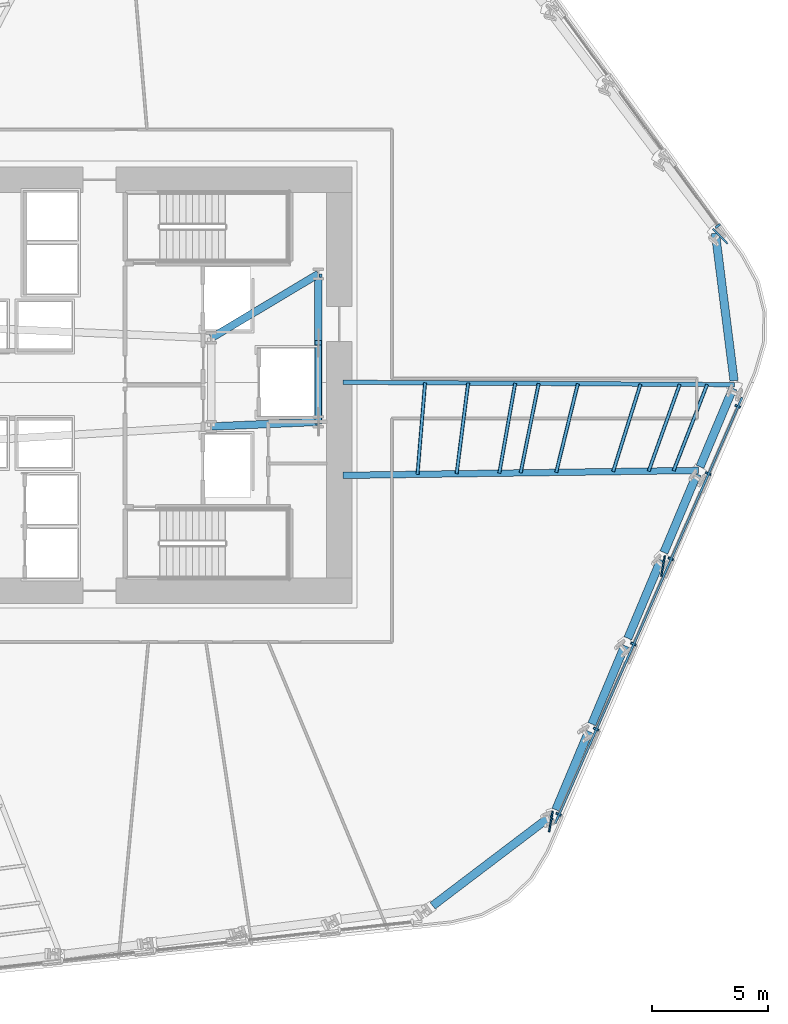
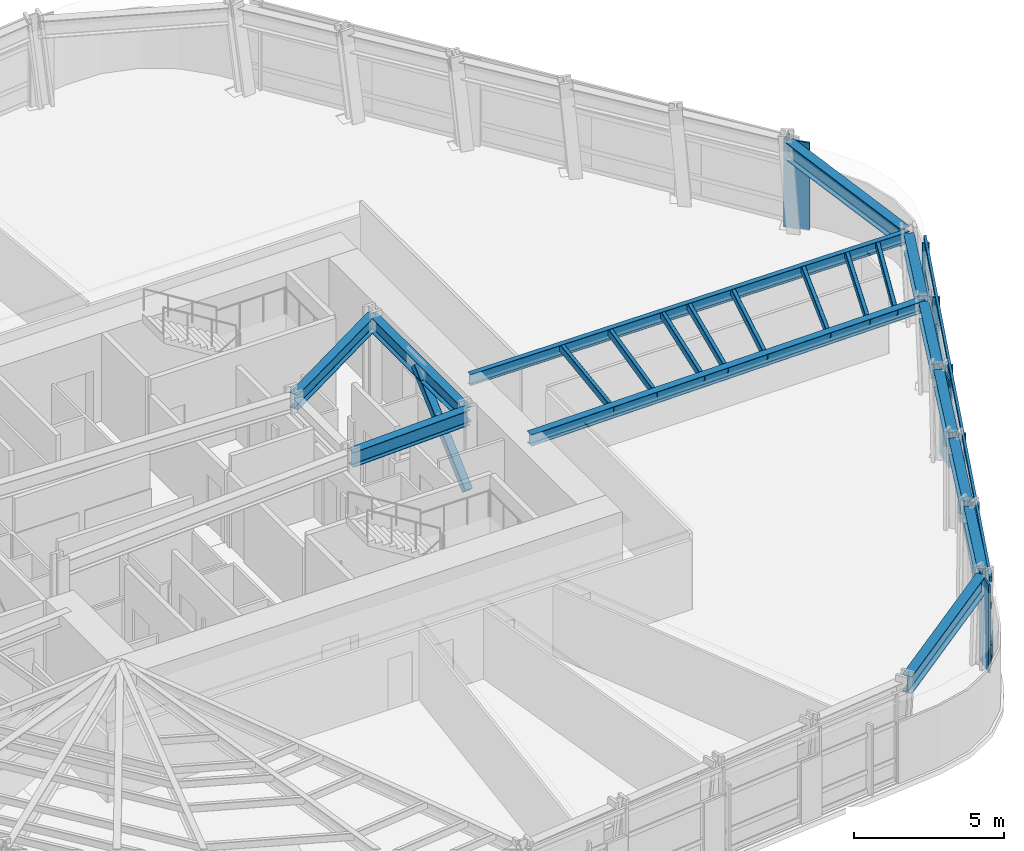
# One storey, part 4 of 16: 23 members, 12 beams, 2 elements without a shape of their own.
"""IFC4 building model written with IfcOpenShell, lengths in metres."""

from ifc_helpers import new_model, si_unit, direction, frame, origin, origin_2d, place, context, subcontext, project, spatial, rectangle, hollow_rectangle, i_section, extrude, material, layer, layer_set, material_profile, profile_set, type_object, element, aggregate, save


model = new_model("IFC4")

# Units and contexts
model_context = context("Model", 3, precision=1e-05, world=origin(), true_north=direction((0.0, 1.0)))
body_context = subcontext(model_context, "Body", "Model", "MODEL_VIEW")
ifc_project = project(units=[si_unit("LENGTHUNIT", "METRE"), si_unit("AREAUNIT", "SQUARE_METRE"), si_unit("VOLUMEUNIT", "CUBIC_METRE"), si_unit("PLANEANGLEUNIT", "RADIAN"), si_unit("MASSUNIT", "GRAM", prefix="KILO")], contexts=[model_context])

# Site, building, storey
site_placement = place(None, origin())
site = spatial("IfcSite", under=ifc_project, at=site_placement, CompositionType="ELEMENT")
building_placement = place(site_placement, origin())
building = spatial("IfcBuilding", under=site, at=building_placement, Name="Valkerne Bourse Tower", CompositionType="ELEMENT")
storey_placement = place(building_placement, frame((0.0, 0.0, 50.60009765625)))
storey = spatial("IfcBuildingStorey", under=building, at=storey_placement, Name="L12", CompositionType="ELEMENT", Elevation=50.60009765625)

# Beams
ifc_material_1 = material(Name="Steel ASTM A992", Category="steel")
ifc_material_profile_1 = material_profile(ifc_material_1, i_section(OverallWidth=0.1904296875, OverallDepth=0.457275390625, WebThickness=0.009033203125, FlangeThickness=0.014404296875, FilletRadius=0.01513671875, at=origin_2d()), Name="W18X50")
ifc_profile_set_1 = profile_set([ifc_material_profile_1], Name="Steel ASTM A992")
beam_type_1 = type_object("IfcBeamType", Name="BM-W18X50", PredefinedType="JOIST", material=ifc_profile_set_1)
beam_1_placement = place(storey_placement, frame((72.82568359375, 26.896484375, 3.351318359375), z_axis=(-0.999981075516, 0.006152122465, 0.0), x_axis=(-0.006152122465, -0.999981075516, 0.0)))
element("IfcBeam", 1, at=beam_1_placement, inside=storey, type_object=beam_type_1, Name="L12 Radial Composite Floor Beam 35", PredefinedType="JOIST", context=body_context, shape_type="SweptSolid", body=[
    extrude(i_section(OverallWidth=0.1904296875, OverallDepth=0.457275390625, WebThickness=0.009033203125, FlangeThickness=0.014404296875, FilletRadius=0.01513671875, at=origin_2d()), origin(), (0.0, 0.0, 1.0), 16.825927734375),
])
ifc_material_profile_2 = material_profile(ifc_material_1, i_section(OverallWidth=0.279296875, OverallDepth=0.46240234375, WebThickness=0.0107421875, FlangeThickness=0.017333984375, FilletRadius=0.017822265625, at=origin_2d()), Name="W18X76")
ifc_profile_set_2 = profile_set([ifc_material_profile_2], Name="Steel ASTM A992")
beam_type_2 = type_object("IfcBeamType", Name="BM-W18X76", PredefinedType="BEAM", material=ifc_profile_set_2)
beam_2_placement = place(storey_placement, frame((71.277099609375, 23.212890625, 3.348876953125), z_axis=(-0.999902918157, -0.013933924804, 0.0), x_axis=(0.013933924804, -0.999902918157, 0.0)))
element("IfcBeam", 2, at=beam_2_placement, inside=storey, type_object=beam_type_2, Name="L12 Radial Composite Floor Beam 34", PredefinedType="BEAM", context=body_context, shape_type="SweptSolid", body=[
    extrude(i_section(OverallWidth=0.279296875, OverallDepth=0.46240234375, WebThickness=0.0107421875, FlangeThickness=0.017333984375, FilletRadius=0.017822265625, at=origin_2d()), origin(), (0.0, 0.0, 1.0), 15.278564453125),
])
ifc_material_profile_3 = material_profile(ifc_material_1, i_section(OverallWidth=0.3251953125, OverallDepth=0.612060546875, WebThickness=0.0126953125, FlangeThickness=0.01904296875, FilletRadius=0.020263671875, at=origin_2d()), Name="W24X104")
ifc_profile_set_3 = profile_set([ifc_material_profile_3], Name="Steel ASTM A992")
beam_type_3 = type_object("IfcBeamType", Name="BM-W24X104", PredefinedType="BEAM", material=ifc_profile_set_3)
beam_3_placement = place(storey_placement, frame((50.35009765625, 25.10009765625, 3.27392578125), z_axis=(0.999056558506, 0.043428019819, 0.0), x_axis=(-0.043428019819, 0.999056558506, 0.0)))
element("IfcBeam", 3, at=beam_3_placement, inside=storey, type_object=beam_type_3, Name="L12 Core Frame Girder CG-SE", PredefinedType="BEAM", context=body_context, shape_type="SweptSolid", body=[
    extrude(i_section(OverallWidth=0.3251953125, OverallDepth=0.612060546875, WebThickness=0.0126953125, FlangeThickness=0.01904296875, FilletRadius=0.020263671875, at=origin_2d()), origin(), (0.0, 0.0, 1.0), 4.604248046875),
])
beam_4_placement = place(storey_placement, frame((50.35009765625, 28.89990234375, 3.27392578125), z_axis=(0.858307823492, 0.513135148019, 0.0), x_axis=(-0.513135148019, 0.858307823492, 0.0)))
element("IfcBeam", 4, at=beam_4_placement, inside=storey, type_object=beam_type_3, Name="L12 Core Frame Girder CG-NE", PredefinedType="BEAM", context=body_context, shape_type="SweptSolid", body=[
    extrude(i_section(OverallWidth=0.3251953125, OverallDepth=0.612060546875, WebThickness=0.0126953125, FlangeThickness=0.01904296875, FilletRadius=0.020263671875, at=origin_2d()), origin(), (0.0, 0.0, 1.0), 5.359130859375),
])
beam_5_placement = place(storey_placement, frame((54.949951171875, 25.300048828125, 3.27392578125), z_axis=(0.0, 1.0, 0.0), x_axis=(-1.0, 0.0, 0.0)))
element("IfcBeam", 5, at=beam_5_placement, inside=storey, type_object=beam_type_3, Name="L12 Core Frame Girder CG-EE", PredefinedType="BEAM", context=body_context, shape_type="SweptSolid", body=[
    extrude(i_section(OverallWidth=0.3251953125, OverallDepth=0.612060546875, WebThickness=0.0126953125, FlangeThickness=0.01904296875, FilletRadius=0.020263671875, at=origin_2d()), origin(), (0.0, 0.0, 1.0), 6.349853515625),
])
ifc_material_profile_4 = material_profile(ifc_material_1, i_section(OverallWidth=0.358154296875, OverallDepth=0.7060546875, WebThickness=0.018310546875, FlangeThickness=0.0302734375, FilletRadius=0.02294921875, at=origin_2d()), Name="W27X178")
ifc_profile_set_4 = profile_set([ifc_material_profile_4], Name="Steel ASTM A992")
beam_type_4 = type_object("IfcBeamType", Name="BM-W27X178", PredefinedType="SPANDREL", material=ifc_profile_set_4)
beam_6_placement = place(storey_placement, frame((59.858642578125, 4.51220703125, 3.226806640625), z_axis=(0.796533896041, 0.604593873983, 0.0), x_axis=(-0.604593873983, 0.796533896041, 0.0)))
element("IfcBeam", 6, at=beam_6_placement, inside=storey, type_object=beam_type_4, Name="L12 Hexagonal Spandrel Ring Beam 29", PredefinedType="SPANDREL", context=body_context, shape_type="SweptSolid", body=[
    extrude(i_section(OverallWidth=0.358154296875, OverallDepth=0.7060546875, WebThickness=0.018310546875, FlangeThickness=0.0302734375, FilletRadius=0.02294921875, at=origin_2d()), origin(), (0.0, 0.0, 1.0), 6.38916015625),
])
beam_7_placement = place(storey_placement, frame((65.14892578125, 8.634521484375, 3.226806640625), z_axis=(0.38751061227, 0.921865242527, 0.0), x_axis=(-0.921865242527, 0.38751061227, 0.0)))
element("IfcBeam", 7, at=beam_7_placement, inside=storey, type_object=beam_type_4, Name="L12 Hexagonal Spandrel Ring Beam 30", PredefinedType="SPANDREL", context=body_context, shape_type="SweptSolid", body=[
    extrude(i_section(OverallWidth=0.358154296875, OverallDepth=0.7060546875, WebThickness=0.018310546875, FlangeThickness=0.0302734375, FilletRadius=0.02294921875, at=origin_2d()), origin(), (0.0, 0.0, 1.0), 3.656005859375),
])
beam_8_placement = place(storey_placement, frame((66.697509765625, 12.318115234375, 3.226806640625), z_axis=(0.387486758463, 0.921875269229, 0.0), x_axis=(-0.921875269229, 0.387486758463, 0.0)))
element("IfcBeam", 8, at=beam_8_placement, inside=storey, type_object=beam_type_4, Name="L12 Hexagonal Spandrel Ring Beam 31", PredefinedType="SPANDREL", context=body_context, shape_type="SweptSolid", body=[
    extrude(i_section(OverallWidth=0.358154296875, OverallDepth=0.7060546875, WebThickness=0.018310546875, FlangeThickness=0.0302734375, FilletRadius=0.02294921875, at=origin_2d()), origin(), (0.0, 0.0, 1.0), 3.65625),
])
for number, where, z_axis, x_axis, name in (
    (9, (68.24609375, 16.001953125, 3.226806640625), (0.38751061227, 0.921865242527, 0.0), (-0.921865242527, 0.38751061227, 0.0), "L12 Hexagonal Spandrel Ring Beam 32"),
    (10, (69.794677734375, 19.685791015625, 3.226806640625), (0.387453860061, 0.921889096543, 0.0), (-0.921889096543, 0.387453860061, 0.0), "L12 Hexagonal Spandrel Ring Beam 33"),
):
    element("IfcBeam", number, at=place(storey_placement, frame(where, z_axis=z_axis, x_axis=x_axis)), inside=storey, type_object=beam_type_4, Name=name, PredefinedType="SPANDREL", context=body_context, shape_type="SweptSolid", body=[
        extrude(i_section(OverallWidth=0.358154296875, OverallDepth=0.7060546875, WebThickness=0.018310546875, FlangeThickness=0.0302734375, FilletRadius=0.02294921875, at=origin_2d()), origin(), (0.0, 0.0, 1.0), 3.656005859375),
    ])
beam_9_placement = place(storey_placement, frame((71.343017578125, 23.369384765625, 3.226806640625), z_axis=(0.387486758463, 0.921875269229, 0.0), x_axis=(-0.921875269229, 0.387486758463, 0.0)))
element("IfcBeam", 11, at=beam_9_placement, inside=storey, type_object=beam_type_4, Name="L12 Hexagonal Spandrel Ring Beam 34", PredefinedType="SPANDREL", context=body_context, shape_type="SweptSolid", body=[
    extrude(i_section(OverallWidth=0.358154296875, OverallDepth=0.7060546875, WebThickness=0.018310546875, FlangeThickness=0.0302734375, FilletRadius=0.02294921875, at=origin_2d()), origin(), (0.0, 0.0, 1.0), 3.65625),
])
beam_10_placement = place(storey_placement, frame((72.804443359375, 27.065185546875, 3.226806640625), z_axis=(-0.125337383989, 0.992114176985, 0.0), x_axis=(-0.992114176985, -0.125337383989, 0.0)))
element("IfcBeam", 12, at=beam_10_placement, inside=storey, type_object=beam_type_4, Name="L12 Hexagonal Spandrel Ring Beam 35", PredefinedType="SPANDREL", context=body_context, shape_type="SweptSolid", body=[
    extrude(i_section(OverallWidth=0.358154296875, OverallDepth=0.7060546875, WebThickness=0.018310546875, FlangeThickness=0.0302734375, FilletRadius=0.02294921875, at=origin_2d()), origin(), (0.0, 0.0, 1.0), 6.388916015625),
])

# Curtain wall, member
ifc_material_2 = material(Name="Aluminium AA 6063-T6", Category="aluminium")
ifc_layer = layer(ifc_material_2, 0.22509765625)
ifc_layer_set = layer_set([ifc_layer], Name="Aluminium AA 6063-T6")
curtain_wall_type = type_object("IfcCurtainWallType", Name="CW-01", PredefinedType="NOTDEFINED", material=ifc_layer_set)
curtain_wall_1_placement = place(storey_placement, origin())
curtain_wall_1 = element("IfcCurtainWall", 13, at=curtain_wall_1_placement, inside=storey, type_object=curtain_wall_type, Name="L12 Hexagonal Stick Curtain Wall Face 1", PredefinedType="NOTDEFINED")
ifc_material_profile_5 = material_profile(ifc_material_2, rectangle(XDim=0.090087890625, YDim=0.239990234375, at=origin_2d()), Name="CWM-90X240")
ifc_profile_set_5 = profile_set([ifc_material_profile_5], Name="Aluminium AA 6063-T6")
member_type_1 = type_object("IfcMemberType", Name="CW-MUL-240X90", PredefinedType="MULLION", material=ifc_profile_set_5)
member_1_placement = place(storey_placement, frame((72.10791015625, 33.716064453125, 0.0), z_axis=(0.0, 0.0, 1.0), x_axis=(-0.592010093635, 0.805930548518, 0.0)))
member_1 = element("IfcMember", 14, at=member_1_placement, type_object=member_type_1, Name="CW-L12-F1 Jamb Mullion 00A", PredefinedType="MULLION", context=body_context, shape_type="SweptSolid", body=[
    extrude(rectangle(XDim=0.090087890625, YDim=0.239990234375, at=origin_2d()), origin(), (0.0, 0.0, 1.0), 3.579833984375),
])
aggregate(curtain_wall_1, [member_1])

# Curtain wall, members
curtain_wall_2_placement = place(storey_placement, origin())
curtain_wall_2 = element("IfcCurtainWall", 15, at=curtain_wall_2_placement, inside=storey, type_object=curtain_wall_type, Name="L12 Hexagonal Stick Curtain Wall Face 6", PredefinedType="NOTDEFINED")
member_2_placement = place(storey_placement, frame((65.27001953125, 8.440673828125, 0.0), z_axis=(0.0, 0.0, 1.0), x_axis=(0.401950146606, 0.915661553001, 0.0)))
member_2 = element("IfcMember", 16, at=member_2_placement, type_object=member_type_1, Name="CW-L12-F6 Jamb Mullion 00A", PredefinedType="MULLION", context=body_context, shape_type="SweptSolid", body=[
    extrude(rectangle(XDim=0.090087890625, YDim=0.239990234375, at=origin_2d()), origin(), (0.0, 0.0, 1.0), 3.579833984375),
])
member_3_placement = place(storey_placement, frame((66.876220703125, 12.099609375, 0.0), z_axis=(0.0, 0.0, 1.0), x_axis=(0.401950146606, 0.915661553001, 0.0)))
member_3 = element("IfcMember", 17, at=member_3_placement, type_object=member_type_1, Name="CW-L12-F6 Jamb Mullion 01A", PredefinedType="MULLION", context=body_context, shape_type="SweptSolid", body=[
    extrude(rectangle(XDim=0.090087890625, YDim=0.239990234375, at=origin_2d()), origin(), (0.0, 0.0, 1.0), 3.579833984375),
])
member_4_placement = place(storey_placement, frame((68.482421875, 15.7587890625, 0.0), z_axis=(0.0, 0.0, 1.0), x_axis=(0.401950146606, 0.915661553001, 0.0)))
member_4 = element("IfcMember", 18, at=member_4_placement, type_object=member_type_1, Name="CW-L12-F6 Jamb Mullion 02A", PredefinedType="MULLION", context=body_context, shape_type="SweptSolid", body=[
    extrude(rectangle(XDim=0.090087890625, YDim=0.239990234375, at=origin_2d()), origin(), (0.0, 0.0, 1.0), 3.579833984375),
])
member_5_placement = place(storey_placement, frame((70.088623046875, 19.417724609375, 0.0), z_axis=(0.0, 0.0, 1.0), x_axis=(0.401950146606, 0.915661553001, 0.0)))
member_5 = element("IfcMember", 19, at=member_5_placement, type_object=member_type_1, Name="CW-L12-F6 Jamb Mullion 03A", PredefinedType="MULLION", context=body_context, shape_type="SweptSolid", body=[
    extrude(rectangle(XDim=0.090087890625, YDim=0.239990234375, at=origin_2d()), origin(), (0.0, 0.0, 1.0), 3.579833984375),
])
member_6_placement = place(storey_placement, frame((71.69482421875, 23.07666015625, 0.0), z_axis=(0.0, 0.0, 1.0), x_axis=(0.401929164496, 0.915670763281, 0.0)))
member_6 = element("IfcMember", 20, at=member_6_placement, type_object=member_type_1, Name="CW-L12-F6 Jamb Mullion 04A", PredefinedType="MULLION", context=body_context, shape_type="SweptSolid", body=[
    extrude(rectangle(XDim=0.090087890625, YDim=0.239990234375, at=origin_2d()), origin(), (0.0, 0.0, 1.0), 3.579833984375),
])
member_7_placement = place(storey_placement, frame((72.96337890625, 25.966552734375, 0.0), z_axis=(0.0, 0.0, 1.0), x_axis=(0.401929164496, 0.915670763281, 0.0)))
member_7 = element("IfcMember", 21, at=member_7_placement, type_object=member_type_1, Name="CW-L12-F6 Jamb Mullion 04B", PredefinedType="MULLION", context=body_context, shape_type="SweptSolid", body=[
    extrude(rectangle(XDim=0.090087890625, YDim=0.239990234375, at=origin_2d()), origin(), (0.0, 0.0, 1.0), 3.579833984375),
])
ifc_material_profile_6 = material_profile(ifc_material_2, rectangle(XDim=0.090087890625, YDim=0.179931640625, at=origin_2d()), Name="CWT-90X180")
ifc_profile_set_6 = profile_set([ifc_material_profile_6], Name="Aluminium AA 6063-T6")
member_type_2 = type_object("IfcMemberType", Name="CW-TRN-180X90", PredefinedType="USERDEFINED", material=ifc_profile_set_6)
member_8_placement = place(storey_placement, frame((65.119384765625, 8.048095703125, 0.119873046875), z_axis=(0.40195183162, 0.915660813324, 0.0), x_axis=(-0.915660813324, 0.40195183162, 0.0)))
member_8 = element("IfcMember", 22, at=member_8_placement, type_object=member_type_2, Name="CW-L12-F6 Continuous Face Transom 1", ObjectType="TRANSOM", PredefinedType="USERDEFINED", context=body_context, shape_type="SweptSolid", body=[
    extrude(rectangle(XDim=0.090087890625, YDim=0.179931640625, at=origin_2d()), origin(), (0.0, 0.0, 1.0), 19.97998046875),
])
member_9_placement = place(storey_placement, frame((65.119384765625, 8.048095703125, 0.89990234375), z_axis=(0.40195183162, 0.915660813324, 0.0), x_axis=(-0.915660813324, 0.40195183162, 0.0)))
member_9 = element("IfcMember", 23, at=member_9_placement, type_object=member_type_2, Name="CW-L12-F6 Continuous Face Transom 2", ObjectType="TRANSOM", PredefinedType="USERDEFINED", context=body_context, shape_type="SweptSolid", body=[
    extrude(rectangle(XDim=0.090087890625, YDim=0.179931640625, at=origin_2d()), origin(), (0.0, 0.0, 1.0), 19.97998046875),
])
member_10_placement = place(storey_placement, frame((65.119384765625, 8.048095703125, 2.39990234375), z_axis=(0.40195183162, 0.915660813324, 0.0), x_axis=(-0.915660813324, 0.40195183162, 0.0)))
member_10 = element("IfcMember", 24, at=member_10_placement, type_object=member_type_2, Name="CW-L12-F6 Continuous Face Transom 3", ObjectType="TRANSOM", PredefinedType="USERDEFINED", context=body_context, shape_type="SweptSolid", body=[
    extrude(rectangle(XDim=0.090087890625, YDim=0.179931640625, at=origin_2d()), origin(), (0.0, 0.0, 1.0), 19.97998046875),
])
member_11_placement = place(storey_placement, frame((65.119384765625, 8.048095703125, 3.5), z_axis=(0.40195183162, 0.915660813324, 0.0), x_axis=(-0.915660813324, 0.40195183162, 0.0)))
member_11 = element("IfcMember", 25, at=member_11_placement, type_object=member_type_2, Name="CW-L12-F6 Continuous Face Transom 4", ObjectType="TRANSOM", PredefinedType="USERDEFINED", context=body_context, shape_type="SweptSolid", body=[
    extrude(rectangle(XDim=0.090087890625, YDim=0.179931640625, at=origin_2d()), origin(), (0.0, 0.0, 1.0), 19.97998046875),
])
aggregate(curtain_wall_2, [member_8, member_9, member_10, member_11, member_2, member_3, member_4, member_5, member_6, member_7])

# Members
ifc_material_3 = material(Name="Bronze Anodised Aluminium AA 6063-T6", Category="aluminium")
ifc_material_profile_7 = material_profile(ifc_material_3, rectangle(XDim=0.070068359375, YDim=0.89990234375, at=origin_2d()), Name="FIN-70X900")
ifc_profile_set_7 = profile_set([ifc_material_profile_7], Name="Bronze Anodised Aluminium AA 6063-T6")
member_type_3 = type_object("IfcMemberType", Name="FIN-SOLAR-900", PredefinedType="USERDEFINED", material=ifc_profile_set_7)
for number, where, z_axis, x_axis, name in (
    (26, (72.211181640625, 33.27099609375, 0.00390625), (0.0, 0.0, 1.0), (0.713624668517, 0.700528252453, 0.0), "L12 Bronze Anodised Solar Fin F1-00"),
    (27, (64.936279296875, 8.12841796875, 0.00390625), (0.0, 0.0, 1.0), (0.985498739114, -0.169682748696, 0.0), "L12 Bronze Anodised Solar Fin F6-00"),
    (28, (69.7548828125, 19.10546875, 0.00390625), (0.0, 0.0, 1.0), (0.985498739114, -0.169682748696, 0.0), "L12 Bronze Anodised Solar Fin F6-03"),
):
    element("IfcMember", number, at=place(storey_placement, frame(where, z_axis=z_axis, x_axis=x_axis)), inside=storey, type_object=member_type_3, Name=name, ObjectType="SOLAR_FIN", PredefinedType="USERDEFINED", context=body_context, shape_type="SweptSolid", body=[
        extrude(rectangle(XDim=0.070068359375, YDim=0.89990234375, at=origin_2d()), origin(), (0.0, 0.0, 1.0), 3.572021484375),
    ])
ifc_material_4 = material(Name="Steel ASTM A500 Grade C", Category="steel")
ifc_material_profile_8 = material_profile(ifc_material_4, hollow_rectangle(XDim=0.14990234375, YDim=0.300048828125, WallThickness=0.012451171875, OuterFilletRadius=0.02490234375, at=origin_2d()), Name="HSS300X150X12.5")
ifc_profile_set_8 = profile_set([ifc_material_profile_8], Name="Steel ASTM A500 Grade C")
member_type_4 = type_object("IfcMemberType", Name="MBR-HSS300X150X12.5", PredefinedType="PURLIN", material=ifc_profile_set_8)
member_12_placement = place(storey_placement, frame((60.888671875, 23.068115234375, 3.419921875), z_axis=(0.126106451962, 0.992016714967, 0.0), x_axis=(-0.992016714967, 0.126106451962, 0.0)))
element("IfcMember", 29, at=member_12_placement, inside=storey, type_object=member_type_4, Name="L12 Secondary Composite Floor Purlin I-34", PredefinedType="PURLIN", context=body_context, shape_type="SweptSolid", body=[
    extrude(hollow_rectangle(XDim=0.14990234375, YDim=0.300048828125, WallThickness=0.012451171875, OuterFilletRadius=0.02490234375, at=origin_2d()), origin(), (0.0, 0.0, 1.0), 3.93017578125),
])
member_13_placement = place(storey_placement, frame((62.721923828125, 23.093505859375, 3.419921875), z_axis=(0.173792438407, 0.984782305057, 0.0), x_axis=(-0.984782305057, 0.173792438407, 0.0)))
element("IfcMember", 30, at=member_13_placement, inside=storey, type_object=member_type_4, Name="L12 Secondary Composite Floor Purlin K-34", PredefinedType="PURLIN", context=body_context, shape_type="SweptSolid", body=[
    extrude(hollow_rectangle(XDim=0.14990234375, YDim=0.300048828125, WallThickness=0.012451171875, OuterFilletRadius=0.02490234375, at=origin_2d()), origin(), (0.0, 0.0, 1.0), 3.920654296875),
])
member_14_placement = place(storey_placement, frame((63.638671875, 23.1064453125, 3.419921875), z_axis=(0.197541554646, 0.980294514005, 0.0), x_axis=(-0.980294514005, 0.197541554646, 0.0)))
element("IfcMember", 31, at=member_14_placement, inside=storey, type_object=member_type_4, Name="L12 Secondary Composite Floor Purlin M-34", PredefinedType="PURLIN", context=body_context, shape_type="SweptSolid", body=[
    extrude(hollow_rectangle(XDim=0.14990234375, YDim=0.300048828125, WallThickness=0.012451171875, OuterFilletRadius=0.02490234375, at=origin_2d()), origin(), (0.0, 0.0, 1.0), 3.9189453125),
])
member_15_placement = place(storey_placement, frame((67.610595703125, 23.16162109375, 3.419921875), z_axis=(0.298754832929, 0.954329895687, 0.0), x_axis=(-0.954329895687, 0.298754832929, 0.0)))
element("IfcMember", 32, at=member_15_placement, inside=storey, type_object=member_type_4, Name="L12 Secondary Composite Floor Purlin O-34", PredefinedType="PURLIN", context=body_context, shape_type="SweptSolid", body=[
    extrude(hollow_rectangle(XDim=0.14990234375, YDim=0.300048828125, WallThickness=0.012451171875, OuterFilletRadius=0.02490234375, at=origin_2d()), origin(), (0.0, 0.0, 1.0), 3.939697265625),
])
member_16_placement = place(storey_placement, frame((65.166259765625, 23.127685546875, 3.419921875), z_axis=(0.236921787254, 0.971528726659, 0.0), x_axis=(-0.971528726659, 0.236921787254, 0.0)))
element("IfcMember", 33, at=member_16_placement, inside=storey, type_object=member_type_4, Name="L12 Secondary Composite Floor Purlin Z-34", PredefinedType="PURLIN", context=body_context, shape_type="SweptSolid", body=[
    extrude(hollow_rectangle(XDim=0.14990234375, YDim=0.300048828125, WallThickness=0.012451171875, OuterFilletRadius=0.02490234375, at=origin_2d()), origin(), (0.0, 0.0, 1.0), 3.921875),
])
member_17_placement = place(storey_placement, frame((59.208251953125, 23.044677734375, 3.419921875), z_axis=(0.082390230496, 0.996600145454, 0.0), x_axis=(-0.996600145454, 0.082390230496, 0.0)))
element("IfcMember", 34, at=member_17_placement, inside=storey, type_object=member_type_4, Name="L12 Secondary Composite Floor Purlin S-34", PredefinedType="PURLIN", context=body_context, shape_type="SweptSolid", body=[
    extrude(hollow_rectangle(XDim=0.14990234375, YDim=0.300048828125, WallThickness=0.012451171875, OuterFilletRadius=0.02490234375, at=origin_2d()), origin(), (0.0, 0.0, 1.0), 3.947021484375),
])
member_18_placement = place(storey_placement, frame((69.138427734375, 23.18310546875, 3.419921875), z_axis=(0.336414530864, 0.941714002988, 0.0), x_axis=(-0.941714002988, 0.336414530864, 0.0)))
element("IfcMember", 35, at=member_18_placement, inside=storey, type_object=member_type_4, Name="L12 Secondary Composite Floor Purlin T-34", PredefinedType="PURLIN", context=body_context, shape_type="SweptSolid", body=[
    extrude(hollow_rectangle(XDim=0.14990234375, YDim=0.300048828125, WallThickness=0.012451171875, OuterFilletRadius=0.02490234375, at=origin_2d()), origin(), (0.0, 0.0, 1.0), 3.958740234375),
])
member_19_placement = place(storey_placement, frame((70.207763671875, 23.197998046875, 3.419921875), z_axis=(0.36223585709, 0.932086468005, 0.0), x_axis=(-0.932086468005, 0.36223585709, 0.0)))
element("IfcMember", 36, at=member_19_placement, inside=storey, type_object=member_type_4, Name="L12 Secondary Composite Floor Purlin U-34", PredefinedType="PURLIN", context=body_context, shape_type="SweptSolid", body=[
    extrude(hollow_rectangle(XDim=0.14990234375, YDim=0.300048828125, WallThickness=0.012451171875, OuterFilletRadius=0.02490234375, at=origin_2d()), origin(), (0.0, 0.0, 1.0), 3.975830078125),
])
ifc_material_profile_9 = material_profile(ifc_material_4, hollow_rectangle(XDim=0.300048828125, YDim=0.300048828125, WallThickness=0.012451171875, OuterFilletRadius=0.02490234375, at=origin_2d()), Name="HSS300X300X12.5")
ifc_profile_set_9 = profile_set([ifc_material_profile_9], Name="Steel ASTM A500 Grade C")
member_type_5 = type_object("IfcMemberType", Name="MBR-HSS300X300X12.5", PredefinedType="STRUT", material=ifc_profile_set_9)
member_20_placement = place(storey_placement, frame((54.949951171875, 25.300048828125, 0.219970703125), z_axis=(0.0, 0.743941933778, 0.668244266094), x_axis=(-1.0, 0.0, 0.0)))
element("IfcMember", 37, at=member_20_placement, inside=storey, type_object=member_type_5, Name="L12 Core Service Pier Lateral Brace", PredefinedType="STRUT", context=body_context, shape_type="SweptSolid", body=[
    extrude(hollow_rectangle(XDim=0.300048828125, YDim=0.300048828125, WallThickness=0.012451171875, OuterFilletRadius=0.02490234375, at=origin_2d()), origin(), (0.0, 0.0, 1.0), 4.570068359375),
])

save(model, "model.ifc")
